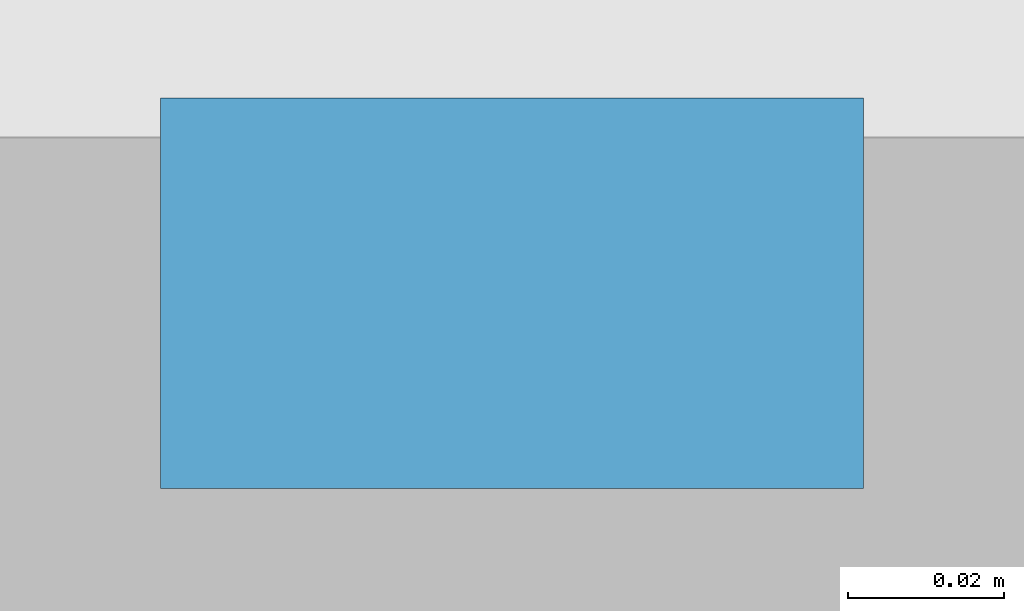
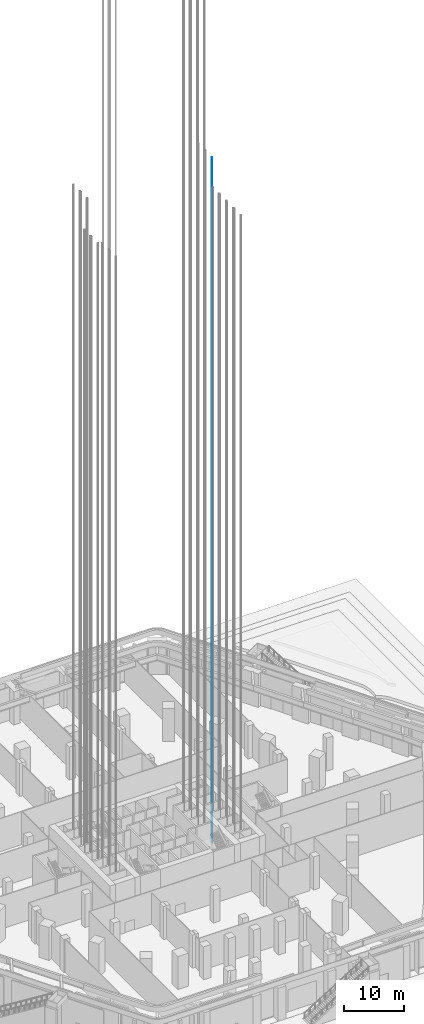
# One storey, part 56 of 68: 1 discrete accessory.
"""IFC4 building model written with IfcOpenShell, lengths in metres."""

import ifcopenshell
import ifcopenshell.guid

model = None  # the IFC model being written
_history = None  # IfcOwnerHistory: only IFC2X3 demands one
_inside = {}  # id of a spatial element -> (the spatial element, [elements in it])
_under = {}  # id of a project, library or spatial element -> (it, [spatial elements below it])
_declared = {}  # id of a project -> (the project, [libraries it declares])
_typed = {}  # id of a type object -> (the type object, [elements of that type])
_made_of = {}  # id of a material, layer set ... -> (it, [elements and type objects made of it])


def new_model(schema):
    """Start an empty IFC model of exactly this schema.

    Asked for "IFC4X3", IfcOpenShell would pick the latest addendum, in which some entities
    have other attributes; the version numbers below select the first issue.
    IFC2X3 requires an IfcOwnerHistory on every rooted entity: one is made here for all.
    """
    global model, _history
    if schema == "IFC4X3":
        model = ifcopenshell.file(schema_version=(4, 3, 0, 0))
    else:
        model = ifcopenshell.file(schema=schema)
    _inside.clear()
    _under.clear()
    _declared.clear()
    _typed.clear()
    _made_of.clear()
    _history = None
    if model.schema == "IFC2X3":
        org = make("IfcOrganization", Name="unknown")
        user = make(
            "IfcPersonAndOrganization",
            ThePerson=make("IfcPerson", FamilyName="unknown"),
            TheOrganization=org,
        )
        app = make(
            "IfcApplication",
            ApplicationDeveloper=org,
            Version="unknown",
            ApplicationFullName="unknown",
            ApplicationIdentifier="unknown",
        )
        _history = make(
            "IfcOwnerHistory",
            OwningUser=user,
            OwningApplication=app,
            ChangeAction="ADDED",
            CreationDate=0,
        )
    return model


def make(cls, **values):
    """One entity of the class cls with the attributes given. An attribute that is None is left unset."""
    return model.create_entity(
        cls, **{name: value for name, value in values.items() if value is not None}
    )


def rooted(cls, **values):
    """An entity with a GlobalId (a new one), such as an element, a storey or a relation."""
    return make(cls, GlobalId=ifcopenshell.guid.new(), OwnerHistory=_history, **values)


def si_unit(unit_type, name, prefix=None):
    """IfcSIUnit, for example si_unit("LENGTHUNIT", "METRE", prefix="MILLI")."""
    return make("IfcSIUnit", UnitType=unit_type, Prefix=prefix, Name=name)


def assignment(units):
    """IfcUnitAssignment: the units of a project."""
    return None if units is None else make("IfcUnitAssignment", Units=units)


def point(xyz):
    """IfcCartesianPoint."""
    return None if xyz is None else make("IfcCartesianPoint", Coordinates=xyz)


def direction(xyz):
    """IfcDirection."""
    return None if xyz is None else make("IfcDirection", DirectionRatios=xyz)


def frame(location, z_axis=None, x_axis=None):
    """IfcAxis2Placement3D, a coordinate frame: its origin and axes. An axis left out is left unset."""
    return make(
        "IfcAxis2Placement3D",
        Location=point(location),
        Axis=direction(z_axis),
        RefDirection=direction(x_axis),
    )


def frame_2d(location, x_axis=None):
    """IfcAxis2Placement2D, a coordinate frame in the plane: its origin and x axis."""
    return make(
        "IfcAxis2Placement2D", Location=point(location), RefDirection=direction(x_axis)
    )


def origin():
    """The frame at (0, 0, 0) with its axes left unset."""
    return frame((0.0, 0.0, 0.0))


def origin_2d():
    """The frame at (0, 0) in the plane with its x axis left unset."""
    return frame_2d((0.0, 0.0))


def place(relative_to, where):
    """IfcLocalPlacement: puts the frame where relative to a parent placement (None: the world)."""
    return make(
        "IfcLocalPlacement", PlacementRelTo=relative_to, RelativePlacement=where
    )


def context(
    kind, dimensions, precision=None, world=None, true_north=None, identifier=None
):
    """IfcGeometricRepresentationContext, for example the 3D "Model" context."""
    return make(
        "IfcGeometricRepresentationContext",
        ContextIdentifier=identifier,
        ContextType=kind,
        CoordinateSpaceDimension=dimensions,
        Precision=precision,
        WorldCoordinateSystem=world,
        TrueNorth=true_north,
    )


def subcontext(parent, identifier, kind, view, scale=None):
    """IfcGeometricRepresentationSubContext, for example "Body" below "Model"."""
    return make(
        "IfcGeometricRepresentationSubContext",
        ContextIdentifier=identifier,
        ContextType=kind,
        ParentContext=parent,
        TargetScale=scale,
        TargetView=view,
    )


def project(units=None, contexts=None):
    """IfcProject with its units and contexts."""
    return rooted(
        "IfcProject",
        Name="project",
        RepresentationContexts=contexts,
        UnitsInContext=assignment(units),
    )


def spatial(cls, under=None, at=None, **own):
    """A site, building, storey or space (cls), placed at a placement, below another one or the project."""
    s = rooted(cls, ObjectPlacement=at, **own)
    if under is not None:
        _under.setdefault(under.id(), (under, []))[1].append(s)
    return s


def profile(cls, at=None, kind="AREA", **sizes):
    """A parametric profile (cls). Its sizes go by their IFC names, for example OverallWidth=200.0."""
    return make(cls, ProfileType=kind, Position=at, **sizes)


def rectangle(**sizes):
    """IfcRectangleProfileDef."""
    return profile("IfcRectangleProfileDef", **sizes)


def extrude(swept, where, along, depth):
    """IfcExtrudedAreaSolid: the profile swept, set in the frame where, extruded along a direction by depth."""
    return make(
        "IfcExtrudedAreaSolid",
        SweptArea=swept,
        Position=where,
        ExtrudedDirection=direction(along),
        Depth=depth,
    )


def shape(context_of_items, identifier, shape_type, items):
    """IfcShapeRepresentation: the items that make up one representation, for example the "Body"."""
    return make(
        "IfcShapeRepresentation",
        ContextOfItems=context_of_items,
        RepresentationIdentifier=identifier,
        RepresentationType=shape_type,
        Items=items,
    )


def made_of(thing, what):
    """Note that an element or type object is made of a material, layer set ...; save() writes the relation."""
    if what is not None:
        _made_of.setdefault(what.id(), (what, []))[1].append(thing)
    return thing


def element(
    cls,
    number,
    at=None,
    inside=None,
    cuts=None,
    type_object=None,
    material=None,
    context=None,
    identifier="Body",
    shape_type=None,
    held_by="IfcProductDefinitionShape",
    body=None,
    shapes=None,
    **own,
):
    """One element of the class cls, such as IfcWall. Its Tag is "e" and its number.

    at: its placement. inside: the storey or other place that contains it. cuts: it is an
    opening in that element (IfcRelVoidsElement). A single representation is given by context,
    identifier, shape_type and body (its items); several are given by shapes. held_by: the class
    of the entity that holds the representations. save() writes the other relations.
    """
    e = rooted(cls, Tag="e%d" % number, ObjectPlacement=at, **own)
    if body is not None:
        shapes = [shape(context, identifier, shape_type, body)]
    if shapes is not None:
        e.Representation = make(held_by, Representations=shapes)
    if inside is not None:
        _inside.setdefault(inside.id(), (inside, []))[1].append(e)
    if cuts is not None:
        rooted(
            "IfcRelVoidsElement", RelatingBuildingElement=cuts, RelatedOpeningElement=e
        )
    if type_object is not None:
        _typed.setdefault(type_object.id(), (type_object, []))[1].append(e)
    return made_of(e, material)


def aggregate(whole, parts):
    """IfcRelAggregates: a whole, such as a stair, and the parts it consists of."""
    return rooted("IfcRelAggregates", RelatingObject=whole, RelatedObjects=parts)


def save(model, path):
    """Write the relations noted so far, then the file.

    IfcRelAggregates (storeys below a building ...), IfcRelContainedInSpatialStructure (elements
    in a storey), IfcRelDefinesByType, IfcRelAssociatesMaterial and IfcRelDeclares: one each for
    every whole, place, type object, material and project.
    """
    for whole, parts in _under.values():
        aggregate(whole, parts)
    for where, things in _inside.values():
        rooted(
            "IfcRelContainedInSpatialStructure",
            RelatedElements=things,
            RelatingStructure=where,
        )
    for kind, things in _typed.values():
        rooted("IfcRelDefinesByType", RelatedObjects=things, RelatingType=kind)
    for what, things in _made_of.values():
        rooted("IfcRelAssociatesMaterial", RelatedObjects=things, RelatingMaterial=what)
    for by, libraries in _declared.values():
        rooted("IfcRelDeclares", RelatingContext=by, RelatedDefinitions=libraries)
    model.write(path)


model = new_model("IFC4")

# Units and contexts
model_context = context("Model", 3, precision=1e-05, world=origin(), true_north=direction((0.0, 1.0)))
body_context = subcontext(model_context, "Body", "Model", "MODEL_VIEW")
ifc_project = project(units=[si_unit("LENGTHUNIT", "METRE"), si_unit("AREAUNIT", "SQUARE_METRE"), si_unit("VOLUMEUNIT", "CUBIC_METRE"), si_unit("PLANEANGLEUNIT", "RADIAN"), si_unit("MASSUNIT", "GRAM", prefix="KILO")], contexts=[model_context])

# Site, building, storey
site_placement = place(None, origin())
site = spatial("IfcSite", under=ifc_project, at=site_placement, CompositionType="ELEMENT")
building_placement = place(site_placement, origin())
building = spatial("IfcBuilding", under=site, at=building_placement, Name="Kolab Exchange Tower", CompositionType="ELEMENT")
storey_placement = place(building_placement, origin())
storey = spatial("IfcBuildingStorey", under=building, at=storey_placement, Name="L00", CompositionType="ELEMENT", Elevation=0.0)

# Discrete accessory
discrete_accessory_placement = place(storey_placement, frame((12.0, 2.530029296875, -1.599853515625), z_axis=(0.0, 0.0, 1.0), x_axis=(1.0, 0.0, 0.0)))
element("IfcDiscreteAccessory", 1, at=discrete_accessory_placement, inside=storey, Name="Guide rail SH1-1", ObjectType="GUIDE RAIL", PredefinedType="USERDEFINED", context=body_context, shape_type="SweptSolid", body=[
    extrude(rectangle(XDim=0.090087890625, YDim=0.050048828125, at=origin_2d()), origin(), (0.0, 0.0, 1.0), 139.39990234375),
])

save(model, "model.ifc")
